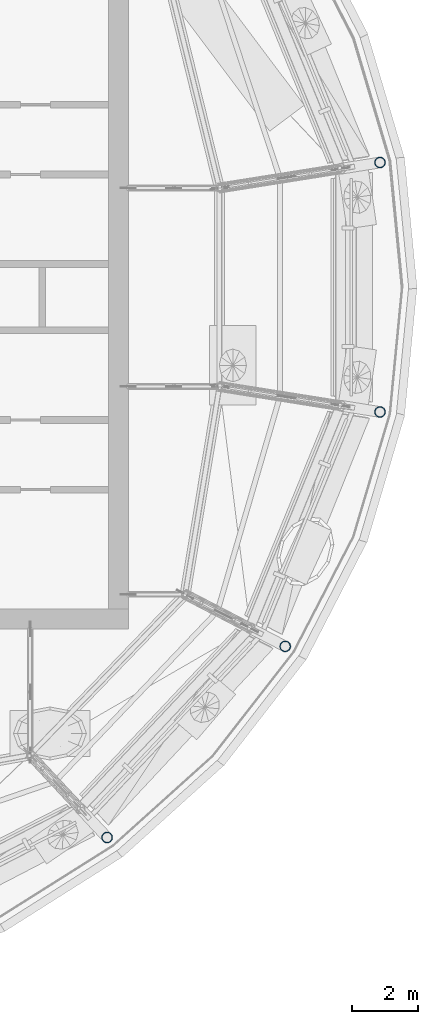
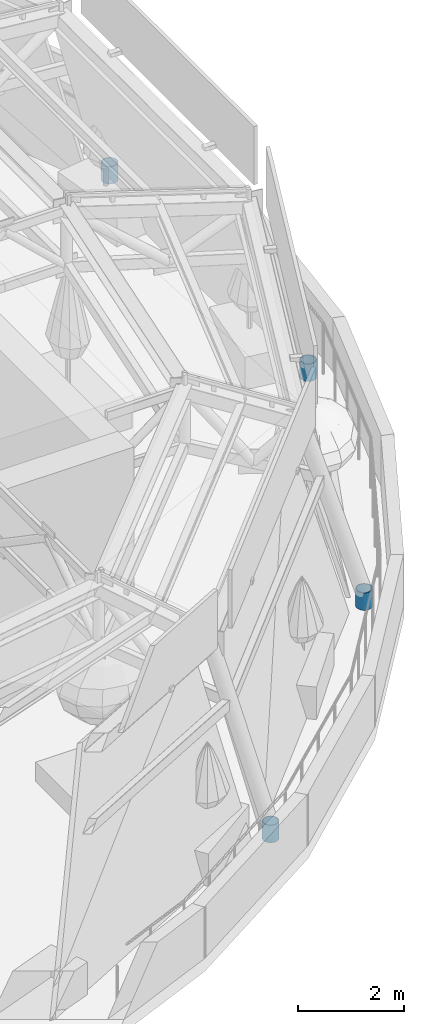
# One storey, part 2 of 40: 4 columns.
"""IFC4 building model written with IfcOpenShell, lengths in metres."""

import ifcopenshell
import ifcopenshell.guid

model = None  # the IFC model being written
_history = None  # IfcOwnerHistory: only IFC2X3 demands one
_inside = {}  # id of a spatial element -> (the spatial element, [elements in it])
_under = {}  # id of a project, library or spatial element -> (it, [spatial elements below it])
_declared = {}  # id of a project -> (the project, [libraries it declares])
_typed = {}  # id of a type object -> (the type object, [elements of that type])
_made_of = {}  # id of a material, layer set ... -> (it, [elements and type objects made of it])


def new_model(schema):
    """Start an empty IFC model of exactly this schema.

    Asked for "IFC4X3", IfcOpenShell would pick the latest addendum, in which some entities
    have other attributes; the version numbers below select the first issue.
    IFC2X3 requires an IfcOwnerHistory on every rooted entity: one is made here for all.
    """
    global model, _history
    if schema == "IFC4X3":
        model = ifcopenshell.file(schema_version=(4, 3, 0, 0))
    else:
        model = ifcopenshell.file(schema=schema)
    _inside.clear()
    _under.clear()
    _declared.clear()
    _typed.clear()
    _made_of.clear()
    _history = None
    if model.schema == "IFC2X3":
        org = make("IfcOrganization", Name="unknown")
        user = make(
            "IfcPersonAndOrganization",
            ThePerson=make("IfcPerson", FamilyName="unknown"),
            TheOrganization=org,
        )
        app = make(
            "IfcApplication",
            ApplicationDeveloper=org,
            Version="unknown",
            ApplicationFullName="unknown",
            ApplicationIdentifier="unknown",
        )
        _history = make(
            "IfcOwnerHistory",
            OwningUser=user,
            OwningApplication=app,
            ChangeAction="ADDED",
            CreationDate=0,
        )
    return model


def make(cls, **values):
    """One entity of the class cls with the attributes given. An attribute that is None is left unset."""
    return model.create_entity(
        cls, **{name: value for name, value in values.items() if value is not None}
    )


def rooted(cls, **values):
    """An entity with a GlobalId (a new one), such as an element, a storey or a relation."""
    return make(cls, GlobalId=ifcopenshell.guid.new(), OwnerHistory=_history, **values)


def si_unit(unit_type, name, prefix=None):
    """IfcSIUnit, for example si_unit("LENGTHUNIT", "METRE", prefix="MILLI")."""
    return make("IfcSIUnit", UnitType=unit_type, Prefix=prefix, Name=name)


def assignment(units):
    """IfcUnitAssignment: the units of a project."""
    return None if units is None else make("IfcUnitAssignment", Units=units)


def point(xyz):
    """IfcCartesianPoint."""
    return None if xyz is None else make("IfcCartesianPoint", Coordinates=xyz)


def direction(xyz):
    """IfcDirection."""
    return None if xyz is None else make("IfcDirection", DirectionRatios=xyz)


def frame(location, z_axis=None, x_axis=None):
    """IfcAxis2Placement3D, a coordinate frame: its origin and axes. An axis left out is left unset."""
    return make(
        "IfcAxis2Placement3D",
        Location=point(location),
        Axis=direction(z_axis),
        RefDirection=direction(x_axis),
    )


def frame_2d(location, x_axis=None):
    """IfcAxis2Placement2D, a coordinate frame in the plane: its origin and x axis."""
    return make(
        "IfcAxis2Placement2D", Location=point(location), RefDirection=direction(x_axis)
    )


def origin():
    """The frame at (0, 0, 0) with its axes left unset."""
    return frame((0.0, 0.0, 0.0))


def origin_2d():
    """The frame at (0, 0) in the plane with its x axis left unset."""
    return frame_2d((0.0, 0.0))


def place(relative_to, where):
    """IfcLocalPlacement: puts the frame where relative to a parent placement (None: the world)."""
    return make(
        "IfcLocalPlacement", PlacementRelTo=relative_to, RelativePlacement=where
    )


def context(
    kind, dimensions, precision=None, world=None, true_north=None, identifier=None
):
    """IfcGeometricRepresentationContext, for example the 3D "Model" context."""
    return make(
        "IfcGeometricRepresentationContext",
        ContextIdentifier=identifier,
        ContextType=kind,
        CoordinateSpaceDimension=dimensions,
        Precision=precision,
        WorldCoordinateSystem=world,
        TrueNorth=true_north,
    )


def subcontext(parent, identifier, kind, view, scale=None):
    """IfcGeometricRepresentationSubContext, for example "Body" below "Model"."""
    return make(
        "IfcGeometricRepresentationSubContext",
        ContextIdentifier=identifier,
        ContextType=kind,
        ParentContext=parent,
        TargetScale=scale,
        TargetView=view,
    )


def project(units=None, contexts=None):
    """IfcProject with its units and contexts."""
    return rooted(
        "IfcProject",
        Name="project",
        RepresentationContexts=contexts,
        UnitsInContext=assignment(units),
    )


def spatial(cls, under=None, at=None, **own):
    """A site, building, storey or space (cls), placed at a placement, below another one or the project."""
    s = rooted(cls, ObjectPlacement=at, **own)
    if under is not None:
        _under.setdefault(under.id(), (under, []))[1].append(s)
    return s


def profile(cls, at=None, kind="AREA", **sizes):
    """A parametric profile (cls). Its sizes go by their IFC names, for example OverallWidth=200.0."""
    return make(cls, ProfileType=kind, Position=at, **sizes)


def hollow_circle(**sizes):
    """IfcCircleHollowProfileDef."""
    return profile("IfcCircleHollowProfileDef", **sizes)


def extrude(swept, where, along, depth):
    """IfcExtrudedAreaSolid: the profile swept, set in the frame where, extruded along a direction by depth."""
    return make(
        "IfcExtrudedAreaSolid",
        SweptArea=swept,
        Position=where,
        ExtrudedDirection=direction(along),
        Depth=depth,
    )


def shape(context_of_items, identifier, shape_type, items):
    """IfcShapeRepresentation: the items that make up one representation, for example the "Body"."""
    return make(
        "IfcShapeRepresentation",
        ContextOfItems=context_of_items,
        RepresentationIdentifier=identifier,
        RepresentationType=shape_type,
        Items=items,
    )


def material(Name=None, Category=None):
    """IfcMaterial."""
    return make("IfcMaterial", Name=Name, Category=Category)


def material_profile(
    of_material, cross_section, Name=None, Category=None, Priority=None
):
    """IfcMaterialProfile: a cross section and its material."""
    return make(
        "IfcMaterialProfile",
        Name=Name,
        Material=of_material,
        Profile=cross_section,
        Priority=Priority,
        Category=Category,
    )


def profile_set(profiles, Name=None, composite=None):
    """IfcMaterialProfileSet."""
    return make(
        "IfcMaterialProfileSet",
        Name=Name,
        MaterialProfiles=profiles,
        CompositeProfile=composite,
    )


def made_of(thing, what):
    """Note that an element or type object is made of a material, layer set ...; save() writes the relation."""
    if what is not None:
        _made_of.setdefault(what.id(), (what, []))[1].append(thing)
    return thing


def type_object(cls, material=None, **own):
    """A type object (cls), such as IfcWallType, which elements share."""
    return made_of(rooted(cls, **own), material)


def element(
    cls,
    number,
    at=None,
    inside=None,
    cuts=None,
    type_object=None,
    material=None,
    context=None,
    identifier="Body",
    shape_type=None,
    held_by="IfcProductDefinitionShape",
    body=None,
    shapes=None,
    **own,
):
    """One element of the class cls, such as IfcWall. Its Tag is "e" and its number.

    at: its placement. inside: the storey or other place that contains it. cuts: it is an
    opening in that element (IfcRelVoidsElement). A single representation is given by context,
    identifier, shape_type and body (its items); several are given by shapes. held_by: the class
    of the entity that holds the representations. save() writes the other relations.
    """
    e = rooted(cls, Tag="e%d" % number, ObjectPlacement=at, **own)
    if body is not None:
        shapes = [shape(context, identifier, shape_type, body)]
    if shapes is not None:
        e.Representation = make(held_by, Representations=shapes)
    if inside is not None:
        _inside.setdefault(inside.id(), (inside, []))[1].append(e)
    if cuts is not None:
        rooted(
            "IfcRelVoidsElement", RelatingBuildingElement=cuts, RelatedOpeningElement=e
        )
    if type_object is not None:
        _typed.setdefault(type_object.id(), (type_object, []))[1].append(e)
    return made_of(e, material)


def aggregate(whole, parts):
    """IfcRelAggregates: a whole, such as a stair, and the parts it consists of."""
    return rooted("IfcRelAggregates", RelatingObject=whole, RelatedObjects=parts)


def save(model, path):
    """Write the relations noted so far, then the file.

    IfcRelAggregates (storeys below a building ...), IfcRelContainedInSpatialStructure (elements
    in a storey), IfcRelDefinesByType, IfcRelAssociatesMaterial and IfcRelDeclares: one each for
    every whole, place, type object, material and project.
    """
    for whole, parts in _under.values():
        aggregate(whole, parts)
    for where, things in _inside.values():
        rooted(
            "IfcRelContainedInSpatialStructure",
            RelatedElements=things,
            RelatingStructure=where,
        )
    for kind, things in _typed.values():
        rooted("IfcRelDefinesByType", RelatedObjects=things, RelatingType=kind)
    for what, things in _made_of.values():
        rooted("IfcRelAssociatesMaterial", RelatedObjects=things, RelatingMaterial=what)
    for by, libraries in _declared.values():
        rooted("IfcRelDeclares", RelatingContext=by, RelatedDefinitions=libraries)
    model.write(path)


model = new_model("IFC4")

# Units and contexts
model_context = context("Model", 3, precision=1e-05, world=origin(), true_north=direction((0.0, 1.0)))
body_context = subcontext(model_context, "Body", "Model", "MODEL_VIEW")
ifc_project = project(units=[si_unit("LENGTHUNIT", "METRE"), si_unit("AREAUNIT", "SQUARE_METRE"), si_unit("VOLUMEUNIT", "CUBIC_METRE"), si_unit("PLANEANGLEUNIT", "RADIAN"), si_unit("MASSUNIT", "GRAM", prefix="KILO")], contexts=[model_context])

# Site, building, storey
site_placement = place(None, origin())
site = spatial("IfcSite", under=ifc_project, at=site_placement, CompositionType="ELEMENT")
building_placement = place(site_placement, origin())
building = spatial("IfcBuilding", under=site, at=building_placement, Name="Taillehof Tower", CompositionType="ELEMENT")
storey_placement = place(building_placement, frame((0.0, 0.0, 275.199951171875)))
storey = spatial("IfcBuildingStorey", under=building, at=storey_placement, Name="L77", CompositionType="ELEMENT", Elevation=275.199951171875)

# Columns
ifc_material = material(Name="Steel S460M", Category="steel")
ifc_material_profile = material_profile(ifc_material, hollow_circle(Radius=0.161865234375, WallThickness=0.01611328125, at=origin_2d()), Name="CHS 323.9x16")
ifc_profile_set = profile_set([ifc_material_profile], Name="Steel S460M")
column_type = type_object("IfcColumnType", Name="Canopy column base CHS 323.9x16", PredefinedType="COLUMN", material=ifc_profile_set)
for number, where, z_axis, x_axis, name in (
    (1, (23.584716796875, 4.0595703125, 0.0), (0.0, 0.0, 1.0), (1.0, 0.0, 0.0), "Canopy column base CS01"),
    (2, (15.359130859375, -16.284912109375, 0.0), (0.0, 0.0, 1.0), (1.0, 0.0, 0.0), "Canopy column base CS16"),
    (3, (20.72802734375, -10.52490234375, 0.0), (0.0, 0.0, 1.0), (1.0, 0.0, 0.0), "Canopy column base CS17"),
    (4, (23.584716796875, -3.45947265625, 0.0), (0.0, 0.0, 1.0), (1.0, 0.0, 0.0), "Canopy column base CS18"),
):
    element("IfcColumn", number, at=place(storey_placement, frame(where, z_axis=z_axis, x_axis=x_axis)), inside=storey, type_object=column_type, Name=name, PredefinedType="COLUMN", context=body_context, shape_type="SweptSolid", body=[
        extrude(hollow_circle(Radius=0.161865234375, WallThickness=0.01611328125, at=origin_2d()), origin(), (0.0, 0.0, 1.0), 0.400146484375),
    ])

save(model, "model.ifc")
